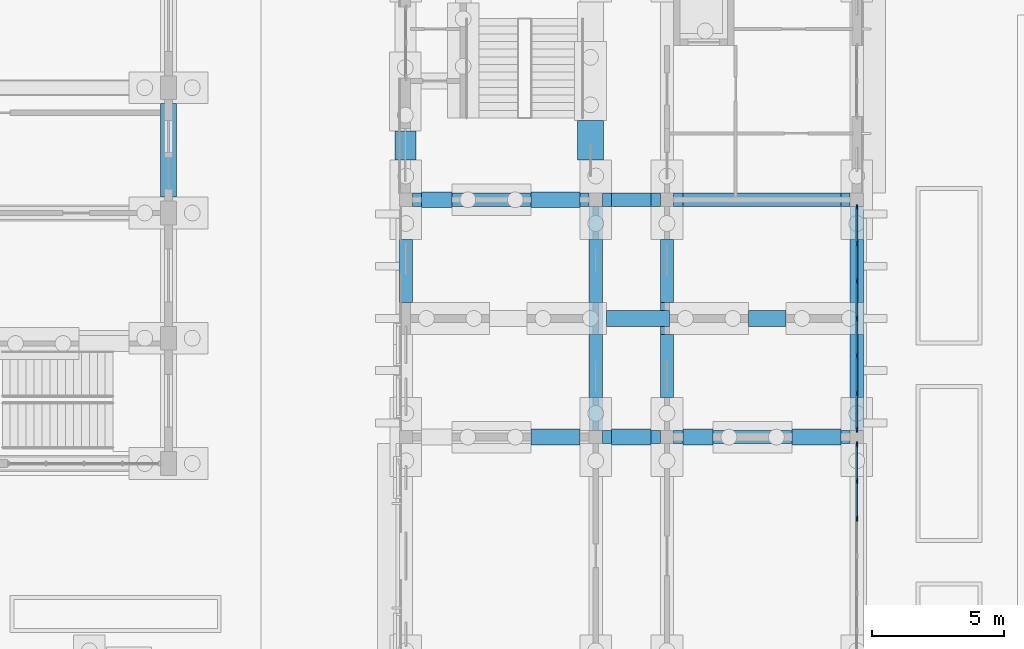
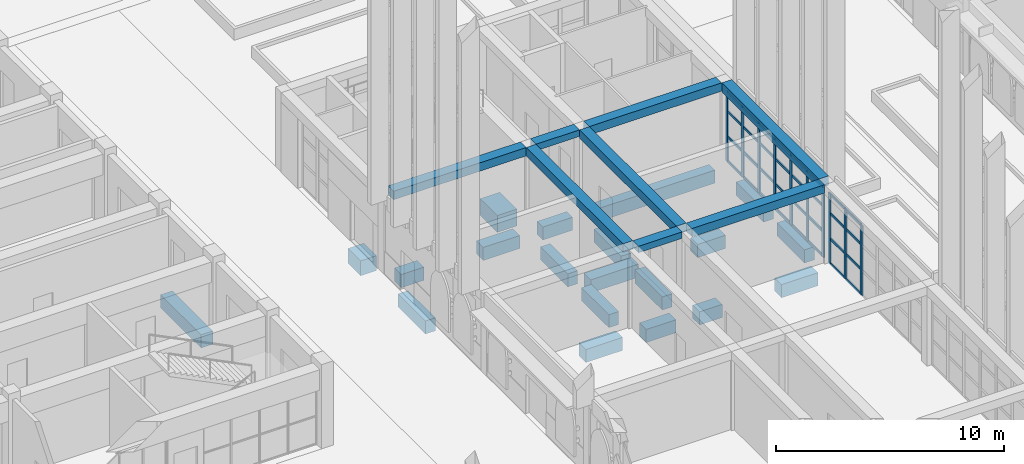
# One storey, part 26 of 161: 42 members, 28 beams, 2 elements without a shape of their own.
"""IFC4 building model written with IfcOpenShell, lengths in metres."""

from ifc_helpers import new_model, si_unit, direction, frame, origin, origin_2d, place, context, subcontext, project, spatial, rectangle, extrude, material, layer, layer_set, material_profile, profile_set, type_object, element, aggregate, save


model = new_model("IFC4")

# Units and contexts
model_context = context("Model", 3, precision=1e-05, world=origin(), true_north=direction((0.0, 1.0)))
body_context = subcontext(model_context, "Body", "Model", "MODEL_VIEW")
ifc_project = project(units=[si_unit("LENGTHUNIT", "METRE"), si_unit("AREAUNIT", "SQUARE_METRE"), si_unit("VOLUMEUNIT", "CUBIC_METRE"), si_unit("PLANEANGLEUNIT", "RADIAN"), si_unit("MASSUNIT", "GRAM", prefix="KILO")], contexts=[model_context])

# Site, building, storey
site_placement = place(None, origin())
site = spatial("IfcSite", under=ifc_project, at=site_placement, CompositionType="ELEMENT")
building_placement = place(site_placement, origin())
building = spatial("IfcBuilding", under=site, at=building_placement, Name="Elbe Cascade School", CompositionType="ELEMENT")
storey_placement = place(building_placement, origin())
storey = spatial("IfcBuildingStorey", under=building, at=storey_placement, Name="L00", CompositionType="ELEMENT", Elevation=0.0)

# Curtain wall, members
ifc_material_1 = material(Name="Aluminium frame with double glazing, bronze anodised", Category="aluminium")
ifc_layer = layer(ifc_material_1, 0.199951171875)
ifc_layer_set = layer_set([ifc_layer], Name="Aluminium frame with double glazing, bronze anodised")
curtain_wall_type = type_object("IfcCurtainWallType", Name="Bars envelope Curtain wall, aluminium, bronze anodised, ground floor tall run", PredefinedType="NOTDEFINED", material=ifc_layer_set)
curtain_wall_1_placement = place(storey_placement, origin())
curtain_wall_1 = element("IfcCurtainWall", 1, at=curtain_wall_1_placement, inside=storey, type_object=curtain_wall_type, Name="Curtain wall CW3 A.L00.e4", PredefinedType="NOTDEFINED")
ifc_material_2 = material(Name="Aluminium mullion, bronze anodised", Category="aluminium")
ifc_material_profile_1 = material_profile(ifc_material_2, rectangle(XDim=0.06005859375, YDim=0.199951171875, at=origin_2d()), Name="Bars envelope Curtain wall mullion 60 x 200, aluminium, ground floor tall run")
ifc_profile_set_1 = profile_set([ifc_material_profile_1], Name="Aluminium mullion, bronze anodised")
member_type_1 = type_object("IfcMemberType", Name="Bars envelope Curtain wall mullion 60 x 200, aluminium, ground floor tall run", PredefinedType="MULLION", material=ifc_profile_set_1)
member_1_placement = place(storey_placement, frame((86.10009765625, 41.719970703125, 0.0), z_axis=(0.0, 0.0, 1.0), x_axis=(1.0, 0.0, 0.0)))
member_1 = element("IfcMember", 2, at=member_1_placement, type_object=member_type_1, Name="CW3 mullion 1", PredefinedType="MULLION", context=body_context, shape_type="SweptSolid", body=[
    extrude(rectangle(XDim=0.06005859375, YDim=0.199951171875, at=origin_2d()), origin(), (0.0, 0.0, 1.0), 3.75),
])
member_2_placement = place(storey_placement, frame((86.10009765625, 40.333251953125, 0.0), z_axis=(0.0, 0.0, 1.0), x_axis=(1.0, 0.0, 0.0)))
member_2 = element("IfcMember", 3, at=member_2_placement, type_object=member_type_1, Name="CW3 mullion 2", PredefinedType="MULLION", context=body_context, shape_type="SweptSolid", body=[
    extrude(rectangle(XDim=0.06005859375, YDim=0.199951171875, at=origin_2d()), origin(), (0.0, 0.0, 1.0), 3.75),
])
member_3_placement = place(storey_placement, frame((86.10009765625, 38.916748046875, 0.0), z_axis=(0.0, 0.0, 1.0), x_axis=(1.0, 0.0, 0.0)))
member_3 = element("IfcMember", 4, at=member_3_placement, type_object=member_type_1, Name="CW3 mullion 3", PredefinedType="MULLION", context=body_context, shape_type="SweptSolid", body=[
    extrude(rectangle(XDim=0.06005859375, YDim=0.199951171875, at=origin_2d()), origin(), (0.0, 0.0, 1.0), 3.75),
])

curtain_wall_2_placement = place(storey_placement, origin())
curtain_wall_2 = element("IfcCurtainWall", 5, at=curtain_wall_2_placement, inside=storey, type_object=curtain_wall_type, Name="Curtain wall CW3 A.L00.e5", PredefinedType="NOTDEFINED")
member_4_placement = place(storey_placement, frame((86.10009765625, 50.719970703125, 0.0), z_axis=(0.0, 0.0, 1.0), x_axis=(1.0, 0.0, 0.0)))
member_4 = element("IfcMember", 6, at=member_4_placement, type_object=member_type_1, Name="CW3 mullion 1", PredefinedType="MULLION", context=body_context, shape_type="SweptSolid", body=[
    extrude(rectangle(XDim=0.06005859375, YDim=0.199951171875, at=origin_2d()), origin(), (0.0, 0.0, 1.0), 3.75),
])
member_5_placement = place(storey_placement, frame((86.10009765625, 49.333251953125, 0.0), z_axis=(0.0, 0.0, 1.0), x_axis=(1.0, 0.0, 0.0)))
member_5 = element("IfcMember", 7, at=member_5_placement, type_object=member_type_1, Name="CW3 mullion 2", PredefinedType="MULLION", context=body_context, shape_type="SweptSolid", body=[
    extrude(rectangle(XDim=0.06005859375, YDim=0.199951171875, at=origin_2d()), origin(), (0.0, 0.0, 1.0), 3.75),
])
member_6_placement = place(storey_placement, frame((86.10009765625, 47.916748046875, 0.0), z_axis=(0.0, 0.0, 1.0), x_axis=(1.0, 0.0, 0.0)))
member_6 = element("IfcMember", 8, at=member_6_placement, type_object=member_type_1, Name="CW3 mullion 3", PredefinedType="MULLION", context=body_context, shape_type="SweptSolid", body=[
    extrude(rectangle(XDim=0.06005859375, YDim=0.199951171875, at=origin_2d()), origin(), (0.0, 0.0, 1.0), 3.75),
])
member_7_placement = place(storey_placement, frame((86.10009765625, 46.5, 0.0), z_axis=(0.0, 0.0, 1.0), x_axis=(1.0, 0.0, 0.0)))
member_7 = element("IfcMember", 9, at=member_7_placement, type_object=member_type_1, Name="CW3 mullion 4", PredefinedType="MULLION", context=body_context, shape_type="SweptSolid", body=[
    extrude(rectangle(XDim=0.06005859375, YDim=0.199951171875, at=origin_2d()), origin(), (0.0, 0.0, 1.0), 3.75),
])
member_8_placement = place(storey_placement, frame((86.10009765625, 45.083251953125, 0.0), z_axis=(0.0, 0.0, 1.0), x_axis=(1.0, 0.0, 0.0)))
member_8 = element("IfcMember", 10, at=member_8_placement, type_object=member_type_1, Name="CW3 mullion 5", PredefinedType="MULLION", context=body_context, shape_type="SweptSolid", body=[
    extrude(rectangle(XDim=0.06005859375, YDim=0.199951171875, at=origin_2d()), origin(), (0.0, 0.0, 1.0), 3.75),
])
member_9_placement = place(storey_placement, frame((86.10009765625, 43.666748046875, 0.0), z_axis=(0.0, 0.0, 1.0), x_axis=(1.0, 0.0, 0.0)))
member_9 = element("IfcMember", 11, at=member_9_placement, type_object=member_type_1, Name="CW3 mullion 6", PredefinedType="MULLION", context=body_context, shape_type="SweptSolid", body=[
    extrude(rectangle(XDim=0.06005859375, YDim=0.199951171875, at=origin_2d()), origin(), (0.0, 0.0, 1.0), 3.75),
])
member_10_placement = place(storey_placement, frame((86.10009765625, 42.280029296875, 0.0), z_axis=(0.0, 0.0, 1.0), x_axis=(1.0, 0.0, 0.0)))
member_10 = element("IfcMember", 12, at=member_10_placement, type_object=member_type_1, Name="CW3 mullion 7", PredefinedType="MULLION", context=body_context, shape_type="SweptSolid", body=[
    extrude(rectangle(XDim=0.06005859375, YDim=0.199951171875, at=origin_2d()), origin(), (0.0, 0.0, 1.0), 3.75),
])

# Member
ifc_material_3 = material(Name="Aluminium transom, bronze anodised", Category="aluminium")
ifc_material_profile_2 = material_profile(ifc_material_3, rectangle(XDim=0.06005859375, YDim=0.139892578125, at=origin_2d()), Name="Bars envelope Curtain wall transom 60 x 140, aluminium, ground floor tall run")
ifc_profile_set_2 = profile_set([ifc_material_profile_2], Name="Aluminium transom, bronze anodised")
member_type_2 = type_object("IfcMemberType", Name="Bars envelope Curtain wall transom 60 x 140, aluminium, ground floor tall run", PredefinedType="USERDEFINED", material=ifc_profile_set_2)
member_11_placement = place(storey_placement, frame((86.10009765625, 41.68994140625, 0.030029296875), z_axis=(0.0, -1.0, 0.0), x_axis=(1.0, 0.0, 0.0)))
member_11 = element("IfcMember", 13, at=member_11_placement, type_object=member_type_2, Name="CW3 transom 1.1", ObjectType="TRANSOM", PredefinedType="USERDEFINED", context=body_context, shape_type="SweptSolid", body=[
    extrude(rectangle(XDim=0.06005859375, YDim=0.139892578125, at=origin_2d()), origin(), (0.0, 0.0, 1.0), 1.32666015625),
])

member_12_placement = place(storey_placement, frame((86.10009765625, 41.68994140625, 1.35009765625), z_axis=(0.0, -1.0, 0.0), x_axis=(1.0, 0.0, 0.0)))
member_12 = element("IfcMember", 14, at=member_12_placement, type_object=member_type_2, Name="CW3 transom 1.2", ObjectType="TRANSOM", PredefinedType="USERDEFINED", context=body_context, shape_type="SweptSolid", body=[
    extrude(rectangle(XDim=0.06005859375, YDim=0.139892578125, at=origin_2d()), origin(), (0.0, 0.0, 1.0), 1.32666015625),
])

member_13_placement = place(storey_placement, frame((86.10009765625, 41.68994140625, 2.699951171875), z_axis=(0.0, -1.0, 0.0), x_axis=(1.0, 0.0, 0.0)))
member_13 = element("IfcMember", 15, at=member_13_placement, type_object=member_type_2, Name="CW3 transom 1.3", ObjectType="TRANSOM", PredefinedType="USERDEFINED", context=body_context, shape_type="SweptSolid", body=[
    extrude(rectangle(XDim=0.06005859375, YDim=0.139892578125, at=origin_2d()), origin(), (0.0, 0.0, 1.0), 1.32666015625),
])

member_14_placement = place(storey_placement, frame((86.10009765625, 41.68994140625, 3.719970703125), z_axis=(0.0, -1.0, 0.0), x_axis=(1.0, 0.0, 0.0)))
member_14 = element("IfcMember", 16, at=member_14_placement, type_object=member_type_2, Name="CW3 transom 1.4", ObjectType="TRANSOM", PredefinedType="USERDEFINED", context=body_context, shape_type="SweptSolid", body=[
    extrude(rectangle(XDim=0.06005859375, YDim=0.139892578125, at=origin_2d()), origin(), (0.0, 0.0, 1.0), 1.32666015625),
])

member_15_placement = place(storey_placement, frame((86.10009765625, 40.30322265625, 0.030029296875), z_axis=(0.0, -1.0, 0.0), x_axis=(1.0, 0.0, 0.0)))
member_15 = element("IfcMember", 17, at=member_15_placement, type_object=member_type_2, Name="CW3 transom 2.1", ObjectType="TRANSOM", PredefinedType="USERDEFINED", context=body_context, shape_type="SweptSolid", body=[
    extrude(rectangle(XDim=0.06005859375, YDim=0.139892578125, at=origin_2d()), origin(), (0.0, 0.0, 1.0), 1.3564453125),
])

member_16_placement = place(storey_placement, frame((86.10009765625, 40.30322265625, 1.35009765625), z_axis=(0.0, -1.0, 0.0), x_axis=(1.0, 0.0, 0.0)))
member_16 = element("IfcMember", 18, at=member_16_placement, type_object=member_type_2, Name="CW3 transom 2.2", ObjectType="TRANSOM", PredefinedType="USERDEFINED", context=body_context, shape_type="SweptSolid", body=[
    extrude(rectangle(XDim=0.06005859375, YDim=0.139892578125, at=origin_2d()), origin(), (0.0, 0.0, 1.0), 1.3564453125),
])

member_17_placement = place(storey_placement, frame((86.10009765625, 40.30322265625, 2.699951171875), z_axis=(0.0, -1.0, 0.0), x_axis=(1.0, 0.0, 0.0)))
member_17 = element("IfcMember", 19, at=member_17_placement, type_object=member_type_2, Name="CW3 transom 2.3", ObjectType="TRANSOM", PredefinedType="USERDEFINED", context=body_context, shape_type="SweptSolid", body=[
    extrude(rectangle(XDim=0.06005859375, YDim=0.139892578125, at=origin_2d()), origin(), (0.0, 0.0, 1.0), 1.3564453125),
])

member_18_placement = place(storey_placement, frame((86.10009765625, 40.30322265625, 3.719970703125), z_axis=(0.0, -1.0, 0.0), x_axis=(1.0, 0.0, 0.0)))
member_18 = element("IfcMember", 20, at=member_18_placement, type_object=member_type_2, Name="CW3 transom 2.4", ObjectType="TRANSOM", PredefinedType="USERDEFINED", context=body_context, shape_type="SweptSolid", body=[
    extrude(rectangle(XDim=0.06005859375, YDim=0.139892578125, at=origin_2d()), origin(), (0.0, 0.0, 1.0), 1.3564453125),
])

aggregate(curtain_wall_1, [member_1, member_2, member_3, member_11, member_12, member_13, member_14, member_15, member_16, member_17, member_18])

member_19_placement = place(storey_placement, frame((86.10009765625, 50.68994140625, 0.030029296875), z_axis=(0.0, -1.0, 0.0), x_axis=(1.0, 0.0, 0.0)))
member_19 = element("IfcMember", 21, at=member_19_placement, type_object=member_type_2, Name="CW3 transom 1.1", ObjectType="TRANSOM", PredefinedType="USERDEFINED", context=body_context, shape_type="SweptSolid", body=[
    extrude(rectangle(XDim=0.06005859375, YDim=0.139892578125, at=origin_2d()), origin(), (0.0, 0.0, 1.0), 1.32666015625),
])

member_20_placement = place(storey_placement, frame((86.10009765625, 50.68994140625, 1.35009765625), z_axis=(0.0, -1.0, 0.0), x_axis=(1.0, 0.0, 0.0)))
member_20 = element("IfcMember", 22, at=member_20_placement, type_object=member_type_2, Name="CW3 transom 1.2", ObjectType="TRANSOM", PredefinedType="USERDEFINED", context=body_context, shape_type="SweptSolid", body=[
    extrude(rectangle(XDim=0.06005859375, YDim=0.139892578125, at=origin_2d()), origin(), (0.0, 0.0, 1.0), 1.32666015625),
])

member_21_placement = place(storey_placement, frame((86.10009765625, 50.68994140625, 2.699951171875), z_axis=(0.0, -1.0, 0.0), x_axis=(1.0, 0.0, 0.0)))
member_21 = element("IfcMember", 23, at=member_21_placement, type_object=member_type_2, Name="CW3 transom 1.3", ObjectType="TRANSOM", PredefinedType="USERDEFINED", context=body_context, shape_type="SweptSolid", body=[
    extrude(rectangle(XDim=0.06005859375, YDim=0.139892578125, at=origin_2d()), origin(), (0.0, 0.0, 1.0), 1.32666015625),
])

member_22_placement = place(storey_placement, frame((86.10009765625, 50.68994140625, 3.719970703125), z_axis=(0.0, -1.0, 0.0), x_axis=(1.0, 0.0, 0.0)))
member_22 = element("IfcMember", 24, at=member_22_placement, type_object=member_type_2, Name="CW3 transom 1.4", ObjectType="TRANSOM", PredefinedType="USERDEFINED", context=body_context, shape_type="SweptSolid", body=[
    extrude(rectangle(XDim=0.06005859375, YDim=0.139892578125, at=origin_2d()), origin(), (0.0, 0.0, 1.0), 1.32666015625),
])

member_23_placement = place(storey_placement, frame((86.10009765625, 49.30322265625, 0.030029296875), z_axis=(0.0, -1.0, 0.0), x_axis=(1.0, 0.0, 0.0)))
member_23 = element("IfcMember", 25, at=member_23_placement, type_object=member_type_2, Name="CW3 transom 2.1", ObjectType="TRANSOM", PredefinedType="USERDEFINED", context=body_context, shape_type="SweptSolid", body=[
    extrude(rectangle(XDim=0.06005859375, YDim=0.139892578125, at=origin_2d()), origin(), (0.0, 0.0, 1.0), 1.3564453125),
])

member_24_placement = place(storey_placement, frame((86.10009765625, 49.30322265625, 1.35009765625), z_axis=(0.0, -1.0, 0.0), x_axis=(1.0, 0.0, 0.0)))
member_24 = element("IfcMember", 26, at=member_24_placement, type_object=member_type_2, Name="CW3 transom 2.2", ObjectType="TRANSOM", PredefinedType="USERDEFINED", context=body_context, shape_type="SweptSolid", body=[
    extrude(rectangle(XDim=0.06005859375, YDim=0.139892578125, at=origin_2d()), origin(), (0.0, 0.0, 1.0), 1.3564453125),
])

member_25_placement = place(storey_placement, frame((86.10009765625, 49.30322265625, 2.699951171875), z_axis=(0.0, -1.0, 0.0), x_axis=(1.0, 0.0, 0.0)))
member_25 = element("IfcMember", 27, at=member_25_placement, type_object=member_type_2, Name="CW3 transom 2.3", ObjectType="TRANSOM", PredefinedType="USERDEFINED", context=body_context, shape_type="SweptSolid", body=[
    extrude(rectangle(XDim=0.06005859375, YDim=0.139892578125, at=origin_2d()), origin(), (0.0, 0.0, 1.0), 1.3564453125),
])

member_26_placement = place(storey_placement, frame((86.10009765625, 49.30322265625, 3.719970703125), z_axis=(0.0, -1.0, 0.0), x_axis=(1.0, 0.0, 0.0)))
member_26 = element("IfcMember", 28, at=member_26_placement, type_object=member_type_2, Name="CW3 transom 2.4", ObjectType="TRANSOM", PredefinedType="USERDEFINED", context=body_context, shape_type="SweptSolid", body=[
    extrude(rectangle(XDim=0.06005859375, YDim=0.139892578125, at=origin_2d()), origin(), (0.0, 0.0, 1.0), 1.3564453125),
])

member_27_placement = place(storey_placement, frame((86.10009765625, 47.88671875, 0.030029296875), z_axis=(0.0, -1.0, 0.0), x_axis=(1.0, 0.0, 0.0)))
member_27 = element("IfcMember", 29, at=member_27_placement, type_object=member_type_2, Name="CW3 transom 3.1", ObjectType="TRANSOM", PredefinedType="USERDEFINED", context=body_context, shape_type="SweptSolid", body=[
    extrude(rectangle(XDim=0.06005859375, YDim=0.139892578125, at=origin_2d()), origin(), (0.0, 0.0, 1.0), 1.356689453125),
])

member_28_placement = place(storey_placement, frame((86.10009765625, 47.88671875, 1.35009765625), z_axis=(0.0, -1.0, 0.0), x_axis=(1.0, 0.0, 0.0)))
member_28 = element("IfcMember", 30, at=member_28_placement, type_object=member_type_2, Name="CW3 transom 3.2", ObjectType="TRANSOM", PredefinedType="USERDEFINED", context=body_context, shape_type="SweptSolid", body=[
    extrude(rectangle(XDim=0.06005859375, YDim=0.139892578125, at=origin_2d()), origin(), (0.0, 0.0, 1.0), 1.356689453125),
])

member_29_placement = place(storey_placement, frame((86.10009765625, 47.88671875, 2.699951171875), z_axis=(0.0, -1.0, 0.0), x_axis=(1.0, 0.0, 0.0)))
member_29 = element("IfcMember", 31, at=member_29_placement, type_object=member_type_2, Name="CW3 transom 3.3", ObjectType="TRANSOM", PredefinedType="USERDEFINED", context=body_context, shape_type="SweptSolid", body=[
    extrude(rectangle(XDim=0.06005859375, YDim=0.139892578125, at=origin_2d()), origin(), (0.0, 0.0, 1.0), 1.356689453125),
])

member_30_placement = place(storey_placement, frame((86.10009765625, 47.88671875, 3.719970703125), z_axis=(0.0, -1.0, 0.0), x_axis=(1.0, 0.0, 0.0)))
member_30 = element("IfcMember", 32, at=member_30_placement, type_object=member_type_2, Name="CW3 transom 3.4", ObjectType="TRANSOM", PredefinedType="USERDEFINED", context=body_context, shape_type="SweptSolid", body=[
    extrude(rectangle(XDim=0.06005859375, YDim=0.139892578125, at=origin_2d()), origin(), (0.0, 0.0, 1.0), 1.356689453125),
])

member_31_placement = place(storey_placement, frame((86.10009765625, 46.469970703125, 0.030029296875), z_axis=(0.0, -1.0, 0.0), x_axis=(1.0, 0.0, 0.0)))
member_31 = element("IfcMember", 33, at=member_31_placement, type_object=member_type_2, Name="CW3 transom 4.1", ObjectType="TRANSOM", PredefinedType="USERDEFINED", context=body_context, shape_type="SweptSolid", body=[
    extrude(rectangle(XDim=0.06005859375, YDim=0.139892578125, at=origin_2d()), origin(), (0.0, 0.0, 1.0), 1.356689453125),
])

member_32_placement = place(storey_placement, frame((86.10009765625, 46.469970703125, 1.35009765625), z_axis=(0.0, -1.0, 0.0), x_axis=(1.0, 0.0, 0.0)))
member_32 = element("IfcMember", 34, at=member_32_placement, type_object=member_type_2, Name="CW3 transom 4.2", ObjectType="TRANSOM", PredefinedType="USERDEFINED", context=body_context, shape_type="SweptSolid", body=[
    extrude(rectangle(XDim=0.06005859375, YDim=0.139892578125, at=origin_2d()), origin(), (0.0, 0.0, 1.0), 1.356689453125),
])

member_33_placement = place(storey_placement, frame((86.10009765625, 46.469970703125, 2.699951171875), z_axis=(0.0, -1.0, 0.0), x_axis=(1.0, 0.0, 0.0)))
member_33 = element("IfcMember", 35, at=member_33_placement, type_object=member_type_2, Name="CW3 transom 4.3", ObjectType="TRANSOM", PredefinedType="USERDEFINED", context=body_context, shape_type="SweptSolid", body=[
    extrude(rectangle(XDim=0.06005859375, YDim=0.139892578125, at=origin_2d()), origin(), (0.0, 0.0, 1.0), 1.356689453125),
])

member_34_placement = place(storey_placement, frame((86.10009765625, 46.469970703125, 3.719970703125), z_axis=(0.0, -1.0, 0.0), x_axis=(1.0, 0.0, 0.0)))
member_34 = element("IfcMember", 36, at=member_34_placement, type_object=member_type_2, Name="CW3 transom 4.4", ObjectType="TRANSOM", PredefinedType="USERDEFINED", context=body_context, shape_type="SweptSolid", body=[
    extrude(rectangle(XDim=0.06005859375, YDim=0.139892578125, at=origin_2d()), origin(), (0.0, 0.0, 1.0), 1.356689453125),
])

member_35_placement = place(storey_placement, frame((86.10009765625, 45.05322265625, 0.030029296875), z_axis=(0.0, -1.0, 0.0), x_axis=(1.0, 0.0, 0.0)))
member_35 = element("IfcMember", 37, at=member_35_placement, type_object=member_type_2, Name="CW3 transom 5.1", ObjectType="TRANSOM", PredefinedType="USERDEFINED", context=body_context, shape_type="SweptSolid", body=[
    extrude(rectangle(XDim=0.06005859375, YDim=0.139892578125, at=origin_2d()), origin(), (0.0, 0.0, 1.0), 1.3564453125),
])

member_36_placement = place(storey_placement, frame((86.10009765625, 45.05322265625, 1.35009765625), z_axis=(0.0, -1.0, 0.0), x_axis=(1.0, 0.0, 0.0)))
member_36 = element("IfcMember", 38, at=member_36_placement, type_object=member_type_2, Name="CW3 transom 5.2", ObjectType="TRANSOM", PredefinedType="USERDEFINED", context=body_context, shape_type="SweptSolid", body=[
    extrude(rectangle(XDim=0.06005859375, YDim=0.139892578125, at=origin_2d()), origin(), (0.0, 0.0, 1.0), 1.3564453125),
])

member_37_placement = place(storey_placement, frame((86.10009765625, 45.05322265625, 2.699951171875), z_axis=(0.0, -1.0, 0.0), x_axis=(1.0, 0.0, 0.0)))
member_37 = element("IfcMember", 39, at=member_37_placement, type_object=member_type_2, Name="CW3 transom 5.3", ObjectType="TRANSOM", PredefinedType="USERDEFINED", context=body_context, shape_type="SweptSolid", body=[
    extrude(rectangle(XDim=0.06005859375, YDim=0.139892578125, at=origin_2d()), origin(), (0.0, 0.0, 1.0), 1.3564453125),
])

member_38_placement = place(storey_placement, frame((86.10009765625, 45.05322265625, 3.719970703125), z_axis=(0.0, -1.0, 0.0), x_axis=(1.0, 0.0, 0.0)))
member_38 = element("IfcMember", 40, at=member_38_placement, type_object=member_type_2, Name="CW3 transom 5.4", ObjectType="TRANSOM", PredefinedType="USERDEFINED", context=body_context, shape_type="SweptSolid", body=[
    extrude(rectangle(XDim=0.06005859375, YDim=0.139892578125, at=origin_2d()), origin(), (0.0, 0.0, 1.0), 1.3564453125),
])

member_39_placement = place(storey_placement, frame((86.10009765625, 43.63671875, 0.030029296875), z_axis=(0.0, -1.0, 0.0), x_axis=(1.0, 0.0, 0.0)))
member_39 = element("IfcMember", 41, at=member_39_placement, type_object=member_type_2, Name="CW3 transom 6.1", ObjectType="TRANSOM", PredefinedType="USERDEFINED", context=body_context, shape_type="SweptSolid", body=[
    extrude(rectangle(XDim=0.06005859375, YDim=0.139892578125, at=origin_2d()), origin(), (0.0, 0.0, 1.0), 1.32666015625),
])

member_40_placement = place(storey_placement, frame((86.10009765625, 43.63671875, 1.35009765625), z_axis=(0.0, -1.0, 0.0), x_axis=(1.0, 0.0, 0.0)))
member_40 = element("IfcMember", 42, at=member_40_placement, type_object=member_type_2, Name="CW3 transom 6.2", ObjectType="TRANSOM", PredefinedType="USERDEFINED", context=body_context, shape_type="SweptSolid", body=[
    extrude(rectangle(XDim=0.06005859375, YDim=0.139892578125, at=origin_2d()), origin(), (0.0, 0.0, 1.0), 1.32666015625),
])

member_41_placement = place(storey_placement, frame((86.10009765625, 43.63671875, 2.699951171875), z_axis=(0.0, -1.0, 0.0), x_axis=(1.0, 0.0, 0.0)))
member_41 = element("IfcMember", 43, at=member_41_placement, type_object=member_type_2, Name="CW3 transom 6.3", ObjectType="TRANSOM", PredefinedType="USERDEFINED", context=body_context, shape_type="SweptSolid", body=[
    extrude(rectangle(XDim=0.06005859375, YDim=0.139892578125, at=origin_2d()), origin(), (0.0, 0.0, 1.0), 1.32666015625),
])

member_42_placement = place(storey_placement, frame((86.10009765625, 43.63671875, 3.719970703125), z_axis=(0.0, -1.0, 0.0), x_axis=(1.0, 0.0, 0.0)))
member_42 = element("IfcMember", 44, at=member_42_placement, type_object=member_type_2, Name="CW3 transom 6.4", ObjectType="TRANSOM", PredefinedType="USERDEFINED", context=body_context, shape_type="SweptSolid", body=[
    extrude(rectangle(XDim=0.06005859375, YDim=0.139892578125, at=origin_2d()), origin(), (0.0, 0.0, 1.0), 1.32666015625),
])

aggregate(curtain_wall_2, [member_4, member_5, member_6, member_7, member_8, member_9, member_10, member_19, member_20, member_21, member_22, member_23, member_24, member_25, member_26, member_27, member_28, member_29, member_30, member_31, member_32, member_33, member_34, member_35, member_36, member_37, member_38, member_39, member_40, member_41, member_42])

# Beams
ifc_material_4 = material(Name="Concrete C30/37", Category="concrete")
ifc_material_profile_3 = material_profile(ifc_material_4, rectangle(XDim=1.0, YDim=0.89990234375, at=origin_2d()), Name="RC 1000x900")
ifc_profile_set_3 = profile_set([ifc_material_profile_3], Name="Concrete C30/37")
beam_type_1 = type_object("IfcBeamType", Name="Found ground beam RC 1000x900", PredefinedType="BEAM", material=ifc_profile_set_3)
beam_1_placement = place(storey_placement, frame((76.0, 52.5, -0.75), z_axis=(0.0, 1.0, 0.0), x_axis=(-1.0, 0.0, 0.0)))
element("IfcBeam", 45, at=beam_1_placement, inside=storey, type_object=beam_type_1, Name="Ground beam 052", PredefinedType="BEAM", context=body_context, shape_type="SweptSolid", body=[
    extrude(rectangle(XDim=1.0, YDim=0.89990234375, at=origin_2d()), origin(), (0.0, 0.0, 1.0), 1.5),
])
ifc_material_5 = material(Name="Concrete C30/37", Category="concrete")
ifc_material_profile_4 = material_profile(ifc_material_5, rectangle(XDim=0.5, YDim=0.699951171875, at=origin_2d()), Name="RC 500x700")
ifc_profile_set_4 = profile_set([ifc_material_profile_4], Name="Concrete C30/37")
beam_type_2 = type_object("IfcBeamType", Name="Found ground beam RC 500x700", PredefinedType="BEAM", material=ifc_profile_set_4)
beam_2_placement = place(storey_placement, frame((76.800048828125, 51.0, -0.64990234375), z_axis=(1.0, 0.0, 0.0), x_axis=(0.0, 1.0, 0.0)))
element("IfcBeam", 46, at=beam_2_placement, inside=storey, type_object=beam_type_2, Name="Ground beam 184", PredefinedType="BEAM", context=body_context, shape_type="SweptSolid", body=[
    extrude(rectangle(XDim=0.5, YDim=0.699951171875, at=origin_2d()), origin(), (0.0, 0.0, 1.0), 1.5),
])
beam_3_placement = place(storey_placement, frame((79.5, 51.0, -0.64990234375), z_axis=(1.0, 0.0, 0.0), x_axis=(0.0, 1.0, 0.0)))
element("IfcBeam", 47, at=beam_3_placement, inside=storey, type_object=beam_type_2, Name="Ground beam 185", PredefinedType="BEAM", context=body_context, shape_type="SweptSolid", body=[
    extrude(rectangle(XDim=0.5, YDim=0.699951171875, at=origin_2d()), origin(), (0.0, 0.0, 1.0), 6.0),
])
for number, where, z_axis, x_axis, name in (
    (48, (69.0, 47.10009765625, -0.64990234375), (0.0, 1.0, 0.0), (-1.0, 0.0, 0.0), "Ground beam 190"),
    (49, (76.199951171875, 43.5, -0.64990234375), (0.0, 1.0, 0.0), (-1.0, 0.0, 0.0), "Ground beam 194"),
    (50, (76.199951171875, 47.10009765625, -0.64990234375), (0.0, 1.0, 0.0), (-1.0, 0.0, 0.0), "Ground beam 195"),
    (51, (78.89990234375, 43.5, -0.64990234375), (0.0, 1.0, 0.0), (-1.0, 0.0, 0.0), "Ground beam 200"),
    (52, (78.89990234375, 47.10009765625, -0.64990234375), (0.0, 1.0, 0.0), (-1.0, 0.0, 0.0), "Ground beam 201"),
    (53, (86.10009765625, 43.5, -0.64990234375), (0.0, 1.0, 0.0), (-1.0, 0.0, 0.0), "Ground beam 207"),
    (54, (86.10009765625, 47.10009765625, -0.64990234375), (0.0, 1.0, 0.0), (-1.0, 0.0, 0.0), "Ground beam 208"),
):
    element("IfcBeam", number, at=place(storey_placement, frame(where, z_axis=z_axis, x_axis=x_axis)), inside=storey, type_object=beam_type_2, Name=name, PredefinedType="BEAM", context=body_context, shape_type="SweptSolid", body=[
        extrude(rectangle(XDim=0.5, YDim=0.699951171875, at=origin_2d()), origin(), (0.0, 0.0, 1.0), 2.39990234375),
    ])
ifc_material_6 = material(Name="Concrete C30/37", Category="concrete")
ifc_material_profile_5 = material_profile(ifc_material_6, rectangle(XDim=0.60009765625, YDim=0.699951171875, at=origin_2d()), Name="RC 600x700")
ifc_profile_set_5 = profile_set([ifc_material_profile_5], Name="Concrete C30/37")
beam_type_3 = type_object("IfcBeamType", Name="Found ground beam RC 600x700", PredefinedType="BEAM", material=ifc_profile_set_5)
beam_4_placement = place(storey_placement, frame((60.0, 51.10009765625, -0.64990234375), z_axis=(0.0, 1.0, 0.0), x_axis=(-1.0, 0.0, 0.0)))
element("IfcBeam", 55, at=beam_4_placement, inside=storey, type_object=beam_type_3, Name="Ground beam 092", PredefinedType="BEAM", context=body_context, shape_type="SweptSolid", body=[
    extrude(rectangle(XDim=0.60009765625, YDim=0.699951171875, at=origin_2d()), origin(), (0.0, 0.0, 1.0), 3.5498046875),
])
beam_5_placement = place(storey_placement, frame((76.60009765625, 46.5, -0.64990234375), z_axis=(1.0, 0.0, 0.0), x_axis=(0.0, 1.0, 0.0)))
element("IfcBeam", 56, at=beam_5_placement, inside=storey, type_object=beam_type_3, Name="Ground beam 126", PredefinedType="BEAM", context=body_context, shape_type="SweptSolid", body=[
    extrude(rectangle(XDim=0.60009765625, YDim=0.699951171875, at=origin_2d()), origin(), (0.0, 0.0, 1.0), 2.39990234375),
])
beam_6_placement = place(storey_placement, frame((82.0, 46.5, -0.64990234375), z_axis=(1.0, 0.0, 0.0), x_axis=(0.0, 1.0, 0.0)))
element("IfcBeam", 57, at=beam_6_placement, inside=storey, type_object=beam_type_3, Name="Ground beam 127", PredefinedType="BEAM", context=body_context, shape_type="SweptSolid", body=[
    extrude(rectangle(XDim=0.60009765625, YDim=0.699951171875, at=origin_2d()), origin(), (0.0, 0.0, 1.0), 1.419921875),
])
beam_7_placement = place(storey_placement, frame((73.75, 42.0, -0.64990234375), z_axis=(1.0, 0.0, 0.0), x_axis=(0.0, 1.0, 0.0)))
element("IfcBeam", 58, at=beam_7_placement, inside=storey, type_object=beam_type_3, Name="Ground beam 129", PredefinedType="BEAM", context=body_context, shape_type="SweptSolid", body=[
    extrude(rectangle(XDim=0.60009765625, YDim=0.699951171875, at=origin_2d()), origin(), (0.0, 0.0, 1.0), 1.85009765625),
])
beam_8_placement = place(storey_placement, frame((76.800048828125, 42.0, -0.64990234375), z_axis=(1.0, 0.0, 0.0), x_axis=(0.0, 1.0, 0.0)))
element("IfcBeam", 59, at=beam_8_placement, inside=storey, type_object=beam_type_3, Name="Ground beam 130", PredefinedType="BEAM", context=body_context, shape_type="SweptSolid", body=[
    extrude(rectangle(XDim=0.60009765625, YDim=0.699951171875, at=origin_2d()), origin(), (0.0, 0.0, 1.0), 1.5),
])
beam_9_placement = place(storey_placement, frame((79.5, 42.0, -0.64990234375), z_axis=(1.0, 0.0, 0.0), x_axis=(0.0, 1.0, 0.0)))
element("IfcBeam", 60, at=beam_9_placement, inside=storey, type_object=beam_type_3, Name="Ground beam 131", PredefinedType="BEAM", context=body_context, shape_type="SweptSolid", body=[
    extrude(rectangle(XDim=0.60009765625, YDim=0.699951171875, at=origin_2d()), origin(), (0.0, 0.0, 1.0), 1.14990234375),
])
beam_10_placement = place(storey_placement, frame((83.64990234375, 42.0, -0.64990234375), z_axis=(1.0, 0.0, 0.0), x_axis=(0.0, 1.0, 0.0)))
element("IfcBeam", 61, at=beam_10_placement, inside=storey, type_object=beam_type_3, Name="Ground beam 132", PredefinedType="BEAM", context=body_context, shape_type="SweptSolid", body=[
    extrude(rectangle(XDim=0.60009765625, YDim=0.699951171875, at=origin_2d()), origin(), (0.0, 0.0, 1.0), 1.85009765625),
])
beam_11_placement = place(storey_placement, frame((69.60009765625, 51.0, -0.64990234375), z_axis=(1.0, 0.0, 0.0), x_axis=(0.0, 1.0, 0.0)))
element("IfcBeam", 62, at=beam_11_placement, inside=storey, type_object=beam_type_3, Name="Ground beam 150", PredefinedType="BEAM", context=body_context, shape_type="SweptSolid", body=[
    extrude(rectangle(XDim=0.60009765625, YDim=0.699951171875, at=origin_2d()), origin(), (0.0, 0.0, 1.0), 1.14990234375),
])
beam_12_placement = place(storey_placement, frame((73.75, 51.0, -0.64990234375), z_axis=(1.0, 0.0, 0.0), x_axis=(0.0, 1.0, 0.0)))
element("IfcBeam", 63, at=beam_12_placement, inside=storey, type_object=beam_type_3, Name="Ground beam 151", PredefinedType="BEAM", context=body_context, shape_type="SweptSolid", body=[
    extrude(rectangle(XDim=0.60009765625, YDim=0.699951171875, at=origin_2d()), origin(), (0.0, 0.0, 1.0), 1.85009765625),
])
ifc_material_7 = material(Name="Concrete C30/37", Category="concrete")
ifc_material_profile_6 = material_profile(ifc_material_7, rectangle(XDim=0.800048828125, YDim=0.800048828125, at=origin_2d()), Name="RC 800x800")
ifc_profile_set_6 = profile_set([ifc_material_profile_6], Name="Concrete C30/37")
beam_type_4 = type_object("IfcBeamType", Name="Found ground beam RC 800x800", PredefinedType="BEAM", material=ifc_profile_set_6)
beam_13_placement = place(storey_placement, frame((68.97998046875, 52.5, -0.699951171875), z_axis=(0.0, 1.0, 0.0), x_axis=(-1.0, 0.0, 0.0)))
element("IfcBeam", 64, at=beam_13_placement, inside=storey, type_object=beam_type_4, Name="Ground beam 078", PredefinedType="BEAM", context=body_context, shape_type="SweptSolid", body=[
    extrude(rectangle(XDim=0.800048828125, YDim=0.800048828125, at=origin_2d()), origin(), (0.0, 0.0, 1.0), 1.110107421875),
])
ifc_material_8 = material(Name="Concrete C30/37", Category="concrete")
ifc_material_profile_7 = material_profile(ifc_material_8, rectangle(XDim=0.5, YDim=0.35009765625, at=origin_2d()), Name="RC 500x350")
ifc_profile_set_7 = profile_set([ifc_material_profile_7], Name="Concrete C30/37")
beam_type_5 = type_object("IfcBeamType", Name="RC 500x350 beam", PredefinedType="BEAM", material=ifc_profile_set_7)
for number, where, z_axis, x_axis, name in (
    (65, (76.449951171875, 42.0, 4.074951171875), (1.0, 0.0, 0.0), (0.0, 1.0, 0.0), "RC 500x350 beam B8"),
    (66, (76.449951171875, 51.0, 4.074951171875), (1.0, 0.0, 0.0), (0.0, 1.0, 0.0), "RC 500x350 beam B8"),
):
    element("IfcBeam", number, at=place(storey_placement, frame(where, z_axis=z_axis, x_axis=x_axis)), inside=storey, type_object=beam_type_5, Name=name, PredefinedType="BEAM", context=body_context, shape_type="SweptSolid", body=[
        extrude(rectangle(XDim=0.5, YDim=0.35009765625, at=origin_2d()), origin(), (0.0, 0.0, 1.0), 2.199951171875),
    ])
ifc_material_9 = material(Name="Concrete C30/37", Category="concrete")
ifc_material_profile_8 = material_profile(ifc_material_9, rectangle(XDim=0.5, YDim=0.449951171875, at=origin_2d()), Name="RC 500x450")
ifc_profile_set_8 = profile_set([ifc_material_profile_8], Name="Concrete C30/37")
beam_type_6 = type_object("IfcBeamType", Name="RC 500x450 beam", PredefinedType="BEAM", material=ifc_profile_set_8)
for number, where, z_axis, x_axis, name in (
    (67, (76.199951171875, 42.25, 4.02490234375), (0.0, 1.0, 0.0), (-1.0, 0.0, 0.0), "RC 500x450 beam B7"),
    (68, (78.89990234375, 42.25, 4.02490234375), (0.0, 1.0, 0.0), (-1.0, 0.0, 0.0), "RC 500x450 beam B7"),
):
    element("IfcBeam", number, at=place(storey_placement, frame(where, z_axis=z_axis, x_axis=x_axis)), inside=storey, type_object=beam_type_6, Name=name, PredefinedType="BEAM", context=body_context, shape_type="SweptSolid", body=[
        extrude(rectangle(XDim=0.5, YDim=0.449951171875, at=origin_2d()), origin(), (0.0, 0.0, 1.0), 8.5),
    ])
beam_14_placement = place(storey_placement, frame((79.14990234375, 42.0, 4.02490234375), z_axis=(1.0, 0.0, 0.0), x_axis=(0.0, 1.0, 0.0)))
element("IfcBeam", 69, at=beam_14_placement, inside=storey, type_object=beam_type_6, Name="RC 500x450 beam B7", PredefinedType="BEAM", context=body_context, shape_type="SweptSolid", body=[
    extrude(rectangle(XDim=0.5, YDim=0.449951171875, at=origin_2d()), origin(), (0.0, 0.0, 1.0), 6.7001953125),
])
beam_15_placement = place(storey_placement, frame((69.25, 51.0, 4.02490234375), z_axis=(1.0, 0.0, 0.0), x_axis=(0.0, 1.0, 0.0)))
element("IfcBeam", 70, at=beam_15_placement, inside=storey, type_object=beam_type_6, Name="RC 500x450 beam B7", PredefinedType="BEAM", context=body_context, shape_type="SweptSolid", body=[
    extrude(rectangle(XDim=0.5, YDim=0.449951171875, at=origin_2d()), origin(), (0.0, 0.0, 1.0), 6.699951171875),
])
beam_16_placement = place(storey_placement, frame((79.14990234375, 51.0, 4.02490234375), z_axis=(1.0, 0.0, 0.0), x_axis=(0.0, 1.0, 0.0)))
element("IfcBeam", 71, at=beam_16_placement, inside=storey, type_object=beam_type_6, Name="RC 500x450 beam B7", PredefinedType="BEAM", context=body_context, shape_type="SweptSolid", body=[
    extrude(rectangle(XDim=0.5, YDim=0.449951171875, at=origin_2d()), origin(), (0.0, 0.0, 1.0), 6.7001953125),
])
ifc_material_10 = material(Name="Concrete C30/37", Category="concrete")
ifc_material_profile_9 = material_profile(ifc_material_10, rectangle(XDim=0.5, YDim=0.5, at=origin_2d()), Name="RC 500x500")
ifc_profile_set_9 = profile_set([ifc_material_profile_9], Name="Concrete C30/37")
beam_type_7 = type_object("IfcBeamType", Name="RC 500x500 beam", PredefinedType="BEAM", material=ifc_profile_set_9)
beam_17_placement = place(storey_placement, frame((86.10009765625, 42.25, 4.0), z_axis=(0.0, 1.0, 0.0), x_axis=(-1.0, 0.0, 0.0)))
element("IfcBeam", 72, at=beam_17_placement, inside=storey, type_object=beam_type_7, Name="RC 500x500 beam B6", PredefinedType="BEAM", context=body_context, shape_type="SweptSolid", body=[
    extrude(rectangle(XDim=0.5, YDim=0.5, at=origin_2d()), origin(), (0.0, 0.0, 1.0), 8.5),
])

save(model, "model.ifc")
